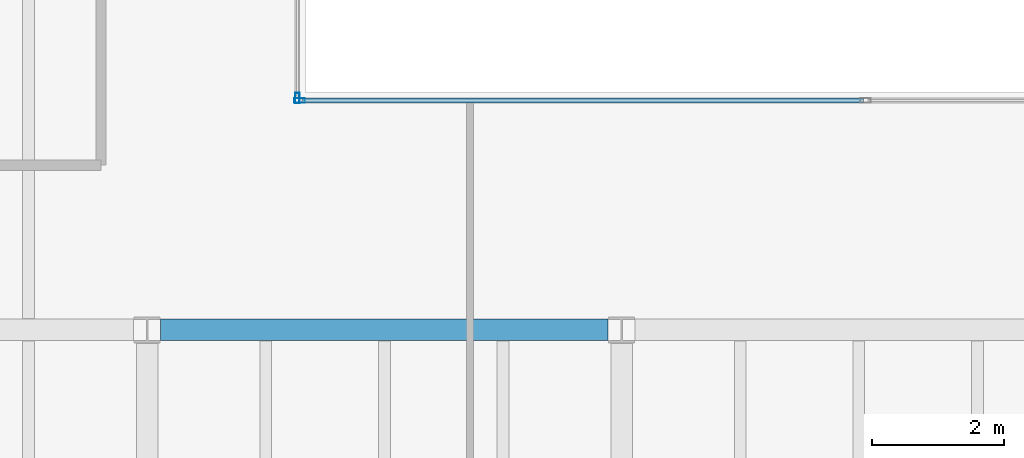
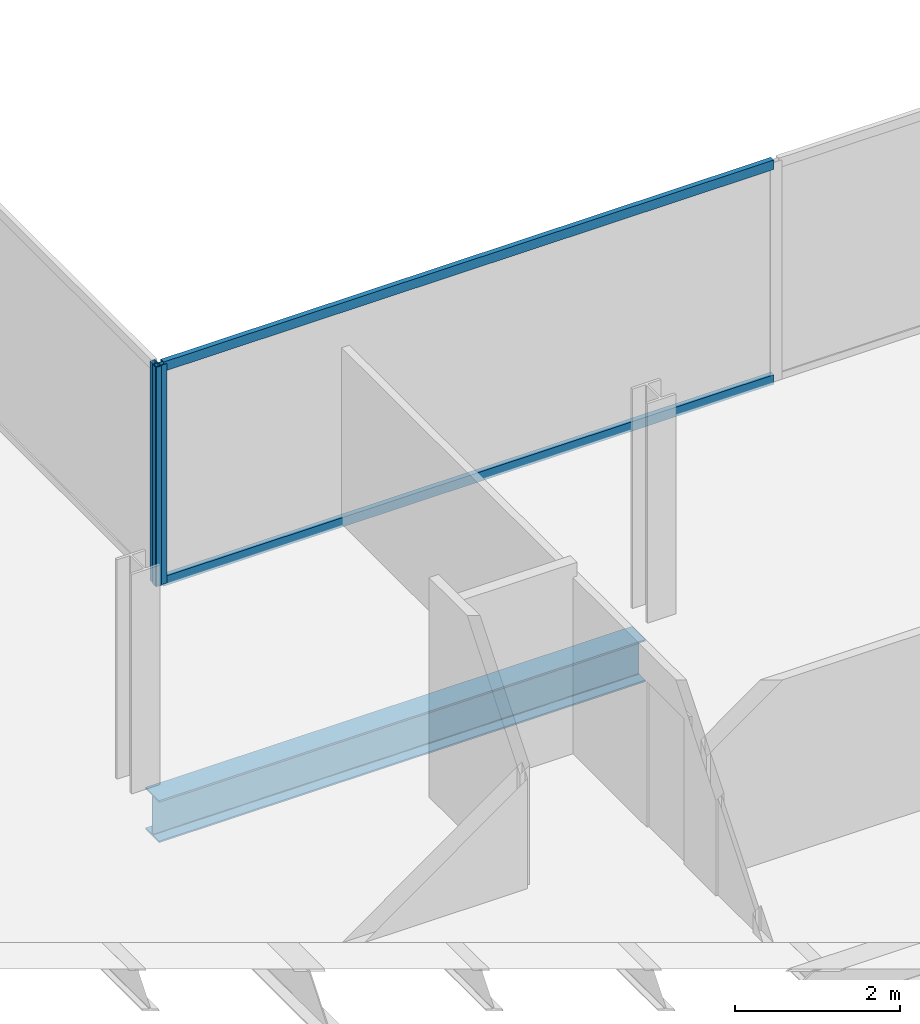
# One storey, part 8 of 23: 4 members, 1 beam, 2 elements without a shape of their own.
"""IFC4 building model written with IfcOpenShell, lengths in metres."""

from ifc_helpers import new_model, si_unit, direction, frame, origin, origin_2d, place, context, subcontext, project, spatial, hollow_rectangle, i_section, extrude, material, material_profile, profile_set, type_object, element, aggregate, save


model = new_model("IFC4")

# Units and contexts
model_context = context("Model", 3, precision=1e-05, world=origin(), true_north=direction((0.0, 1.0)))
body_context = subcontext(model_context, "Body", "Model", "MODEL_VIEW")
ifc_project = project(units=[si_unit("LENGTHUNIT", "METRE"), si_unit("AREAUNIT", "SQUARE_METRE"), si_unit("VOLUMEUNIT", "CUBIC_METRE"), si_unit("PLANEANGLEUNIT", "RADIAN"), si_unit("MASSUNIT", "GRAM", prefix="KILO")], contexts=[model_context])

# Site, building, storey
site_placement = place(None, origin())
site = spatial("IfcSite", under=ifc_project, at=site_placement, CompositionType="ELEMENT")
building_placement = place(site_placement, origin())
building = spatial("IfcBuilding", under=site, at=building_placement, Name="Cobrela Telecom Tower", CompositionType="ELEMENT")
storey_placement = place(building_placement, frame((0.0, 0.0, 183.75)))
storey = spatial("IfcBuildingStorey", under=building, at=storey_placement, Name="L46", CompositionType="ELEMENT", Elevation=183.75)

# Beam
ifc_material_1 = material(Name="Steel ASTM A992 Grade 50", Category="steel")
ifc_material_profile_1 = material_profile(ifc_material_1, i_section(OverallWidth=0.327880859375, OverallDepth=0.6220703125, WebThickness=0.015380859375, FlangeThickness=0.0244140625, FilletRadius=0.014892578125, at=origin_2d()), Name="W24X131")
ifc_profile_set_1 = profile_set([ifc_material_profile_1], Name="Steel ASTM A992 Grade 50")
beam_type = type_object("IfcBeamType", Name="BM-GIRD-06", PredefinedType="USERDEFINED", material=ifc_profile_set_1)
beam_placement = place(storey_placement, frame((21.804443359375, 21.60009765625, -0.571044921875), z_axis=(1.0, 0.0, 0.0), x_axis=(0.0, 1.0, 0.0)))
element("IfcBeam", 1, at=beam_placement, inside=storey, type_object=beam_type, Name="L46 Primary Girder X16", ObjectType="GIRDER", PredefinedType="USERDEFINED", context=body_context, shape_type="SweptSolid", body=[
    extrude(i_section(OverallWidth=0.327880859375, OverallDepth=0.6220703125, WebThickness=0.015380859375, FlangeThickness=0.0244140625, FilletRadius=0.014892578125, at=origin_2d()), origin(), (0.0, 0.0, 1.0), 6.791015625),
])

# Curtain wall, member
ifc_material_2 = material(Name="Anodized Bronze Aluminium 6063-T6", Category="aluminium")
curtain_wall_type = type_object("IfcCurtainWallType", Name="CW-SYS-OFF-LO", PredefinedType="USERDEFINED", material=ifc_material_2)
curtain_wall_1_placement = place(storey_placement, origin())
curtain_wall_1 = element("IfcCurtainWall", 2, at=curtain_wall_1_placement, inside=storey, type_object=curtain_wall_type, Name="L46 Unitised Bronze Curtain Wall 10", ObjectType="UNITISED CURTAIN WALL", PredefinedType="USERDEFINED")
ifc_material_profile_2 = material_profile(ifc_material_2, hollow_rectangle(XDim=0.070068359375, YDim=0.159912109375, WallThickness=0.00390625, at=origin_2d()), Name="ALU 70x160x4")
ifc_profile_set_2 = profile_set([ifc_material_profile_2], Name="Anodized Bronze Aluminium 6063-T6")
member_type_1 = type_object("IfcMemberType", Name="CW-SYS-OFF-LO-MUL", PredefinedType="MULLION", material=ifc_profile_set_2)
member_1_placement = place(storey_placement, frame((23.8798828125, 25.114990234375, 0.0), z_axis=(0.0, 0.0, 1.0), x_axis=(1.0, 0.0, 0.0)))
member_1 = element("IfcMember", 3, at=member_1_placement, type_object=member_type_1, Name="CW-OFF-LO mullion 3", PredefinedType="MULLION", context=body_context, shape_type="SweptSolid", body=[
    extrude(hollow_rectangle(XDim=0.070068359375, YDim=0.159912109375, WallThickness=0.00390625, at=origin_2d()), origin(), (0.0, 0.0, 1.0), 3.239990234375),
])
aggregate(curtain_wall_1, [member_1])

# Curtain wall, members
curtain_wall_2_placement = place(storey_placement, origin())
curtain_wall_2 = element("IfcCurtainWall", 4, at=curtain_wall_2_placement, inside=storey, type_object=curtain_wall_type, Name="L46 Unitised Bronze Curtain Wall 11", ObjectType="UNITISED CURTAIN WALL", PredefinedType="USERDEFINED")
member_2_placement = place(storey_placement, frame((23.9150390625, 25.080078125, 0.0), z_axis=(0.0, 0.0, 1.0), x_axis=(0.0, 1.0, 0.0)))
member_2 = element("IfcMember", 5, at=member_2_placement, type_object=member_type_1, Name="CW-OFF-LO mullion 1", PredefinedType="MULLION", context=body_context, shape_type="SweptSolid", body=[
    extrude(hollow_rectangle(XDim=0.070068359375, YDim=0.159912109375, WallThickness=0.00390625, at=origin_2d()), origin(), (0.0, 0.0, 1.0), 3.239990234375),
])
ifc_material_profile_3 = material_profile(ifc_material_2, hollow_rectangle(XDim=0.070068359375, YDim=0.139892578125, WallThickness=0.00390625, at=origin_2d()), Name="ALU 70x140x4")
ifc_profile_set_3 = profile_set([ifc_material_profile_3], Name="Anodized Bronze Aluminium 6063-T6")
member_type_2 = type_object("IfcMemberType", Name="CW-SYS-OFF-LO-TRN", PredefinedType="USERDEFINED", material=ifc_profile_set_3)
member_3_placement = place(storey_placement, frame((23.949951171875, 25.080078125, 0.034912109375), z_axis=(1.0, 0.0, 0.0), x_axis=(0.0, 1.0, 0.0)))
member_3 = element("IfcMember", 6, at=member_3_placement, type_object=member_type_2, Name="CW-OFF-LO transom 1.1", ObjectType="TRANSOM", PredefinedType="USERDEFINED", context=body_context, shape_type="SweptSolid", body=[
    extrude(hollow_rectangle(XDim=0.070068359375, YDim=0.139892578125, WallThickness=0.00390625, at=origin_2d()), origin(), (0.0, 0.0, 1.0), 8.52001953125),
])
member_4_placement = place(storey_placement, frame((23.949951171875, 25.080078125, 3.205078125), z_axis=(1.0, 0.0, 0.0), x_axis=(0.0, 1.0, 0.0)))
member_4 = element("IfcMember", 7, at=member_4_placement, type_object=member_type_2, Name="CW-OFF-LO transom 1.2", ObjectType="TRANSOM", PredefinedType="USERDEFINED", context=body_context, shape_type="SweptSolid", body=[
    extrude(hollow_rectangle(XDim=0.070068359375, YDim=0.139892578125, WallThickness=0.00390625, at=origin_2d()), origin(), (0.0, 0.0, 1.0), 8.52001953125),
])
aggregate(curtain_wall_2, [member_2, member_3, member_4])

save(model, "model.ifc")
